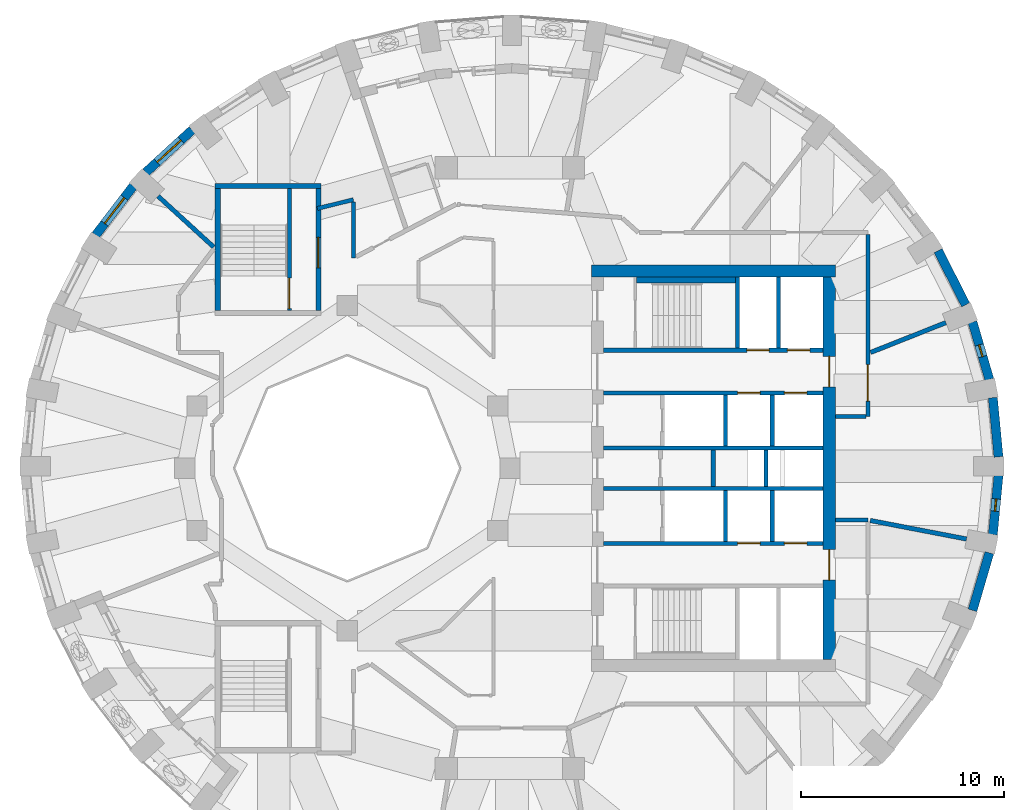
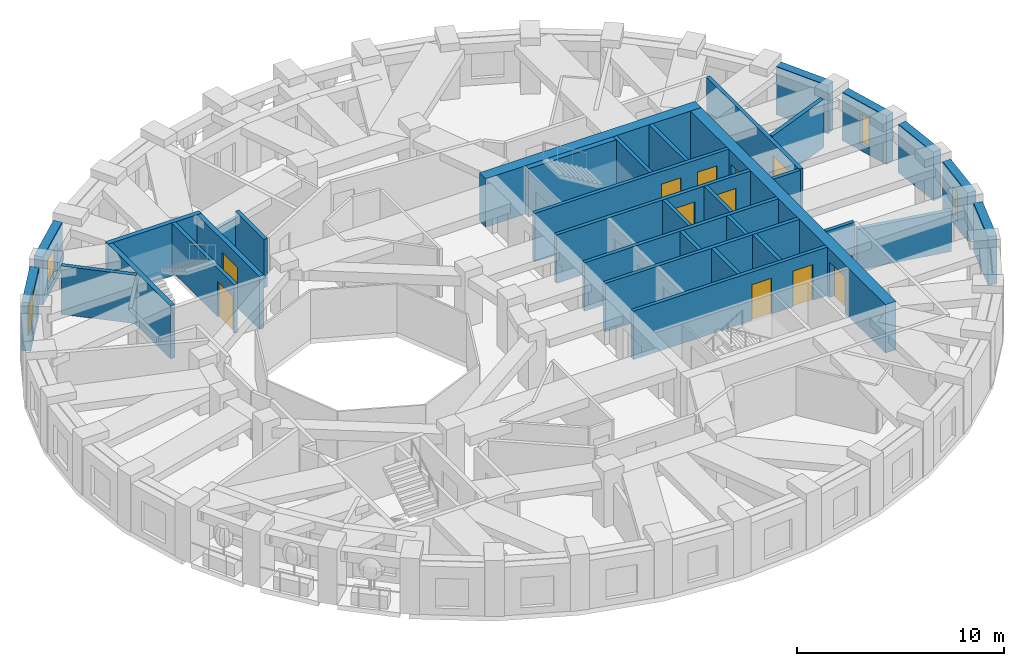
# One storey, part 6 of 11: 35 walls, 11 doors, 4 windows, 15 openings.
"""IFC4 building model written with IfcOpenShell, lengths in metres."""

from ifc_helpers import new_model, si_unit, direction, frame, frame_2d, origin, place, context, subcontext, project, spatial, rectangle, extrude, material, layer, layer_set, type_object, element, fill, save


model = new_model("IFC4")

# Units and contexts
model_context = context("Model", 3, precision=1e-05, world=origin(), true_north=direction((0.0, 1.0)))
body_context = subcontext(model_context, "Body", "Model", "MODEL_VIEW")
ifc_project = project(units=[si_unit("LENGTHUNIT", "METRE"), si_unit("AREAUNIT", "SQUARE_METRE"), si_unit("VOLUMEUNIT", "CUBIC_METRE"), si_unit("PLANEANGLEUNIT", "RADIAN"), si_unit("MASSUNIT", "GRAM", prefix="KILO")], contexts=[model_context])

# Site, building, storey
site_placement = place(None, origin())
site = spatial("IfcSite", under=ifc_project, at=site_placement, CompositionType="ELEMENT")
building_placement = place(site_placement, origin())
building = spatial("IfcBuilding", under=site, at=building_placement, Name="Taillehof Tower", CompositionType="ELEMENT")
storey_placement = place(building_placement, frame((0.0, 0.0, 181.39990234375)))
storey = spatial("IfcBuildingStorey", under=building, at=storey_placement, Name="L51", CompositionType="ELEMENT", Elevation=181.39990234375)

# Wall
ifc_material_1 = material(Name="Brick masonry", Category="masonry")
ifc_layer_1 = layer(ifc_material_1, 0.449951171875)
ifc_layer_set_1 = layer_set([ifc_layer_1], Name="Brick infill wall 450")
wall_type_1 = type_object("IfcWallType", Name="Brick infill wall 450", PredefinedType="SOLIDWALL", material=ifc_layer_set_1)
wall_1_placement = place(storey_placement, frame((24.030517578125, 0.55517578125, 0.0), z_axis=(0.0, 0.0, 1.0), x_axis=(-0.095265737322, 0.995451876935, 0.0)))
element("IfcWall", 1, at=wall_1_placement, inside=storey, type_object=wall_type_1, Name="Brick wall L51 bay 1", PredefinedType="SOLIDWALL", context=body_context, shape_type="SweptSolid", body=[
    extrude(rectangle(XDim=2.9267578125, YDim=0.449951171875, at=frame_2d((1.46337890625, 0.0))), origin(), (0.0, 0.0, 1.0), 2.85009765625),
])

# Wall, opening, window
wall_2_placement = place(storey_placement, frame((23.579833984375, 4.3623046875, 0.0), z_axis=(0.0, 0.0, 1.0), x_axis=(-0.281049481624, 0.959693278542, 0.0)))
wall_2 = element("IfcWall", 2, at=wall_2_placement, inside=storey, type_object=wall_type_1, Name="Brick wall L51 bay 2", PredefinedType="SOLIDWALL", context=body_context, shape_type="SweptSolid", body=[
    extrude(rectangle(XDim=2.947509765625, YDim=0.449951171875, at=frame_2d((1.4736328125, 0.0))), origin(), (0.0, 0.0, 1.0), 2.85009765625),
])
opening_1_placement = place(wall_2_placement, frame((1.173583984375, 0.0, 0.39990234375)))
opening_1 = element("IfcOpeningElement", 3, at=opening_1_placement, cuts=wall_2, Name="Opening W6", PredefinedType="OPENING", context=body_context, shape_type="SweptSolid", body=[
    extrude(rectangle(XDim=0.60009765625, YDim=1.75, at=frame_2d((0.300048828125, 0.875))), frame((0.0, 0.23486328125, 0.0), z_axis=(0.0, -1.0, 0.0), x_axis=(1.0, 0.0, 0.0)), (0.0, 0.0, 1.0), 0.469970703125),
])
ifc_material_2 = material(Name="Aluminium window frame with clear double glazing", Category="aluminium")
window_type_1 = type_object("IfcWindowType", Name="Slot window 600x1750", PartitioningType="SINGLE_PANEL", PredefinedType="WINDOW", material=ifc_material_2)
window_1_placement = place(opening_1_placement, origin())
window_1 = element("IfcWindow", 4, at=window_1_placement, inside=storey, type_object=window_type_1, Name="W6", OverallHeight=1.75, OverallWidth=0.60009765625, PartitioningType="SINGLE_PANEL", PredefinedType="WINDOW", context=body_context, shape_type="SweptSolid", body=[
    extrude(rectangle(XDim=0.60009765625, YDim=1.75, at=frame_2d((0.300048828125, 0.875))), frame((0.0, 0.034912109375, 0.0), z_axis=(0.0, -1.0, 0.0), x_axis=(1.0, 0.0, 0.0)), (0.0, 0.0, 1.0), 0.06005859375),
])
fill(opening_1, window_1)

# Wall
wall_3_placement = place(storey_placement, frame((22.415283203125, 8.036865234375, 0.0), z_axis=(0.0, 0.0, 1.0), x_axis=(-0.454133999889, 0.890933392653, 0.0)))
element("IfcWall", 5, at=wall_3_placement, inside=storey, type_object=wall_type_1, Name="Brick wall L51 bay 3", PredefinedType="SOLIDWALL", context=body_context, shape_type="SweptSolid", body=[
    extrude(rectangle(XDim=2.98583984375, YDim=0.449951171875, at=frame_2d((1.492919921875, 0.0))), origin(), (0.0, 0.0, 1.0), 2.85009765625),
])

# Wall, opening, window
wall_4_placement = place(storey_placement, frame((-15.630126953125, 16.638671875, 0.0), z_axis=(0.0, 0.0, 1.0), x_axis=(-0.737808755941, -0.675009807082, 0.0)))
wall_4 = element("IfcWall", 6, at=wall_4_placement, inside=storey, type_object=wall_type_1, Name="Brick wall L51 bay 14", PredefinedType="SOLIDWALL", context=body_context, shape_type="SweptSolid", body=[
    extrude(rectangle(XDim=3.094482421875, YDim=0.449951171875, at=frame_2d((1.54736328125, 0.0))), origin(), (0.0, 0.0, 1.0), 2.85009765625),
])
opening_2_placement = place(wall_4_placement, frame((0.747314453125, 0.0, 0.39990234375)))
opening_2 = element("IfcOpeningElement", 7, at=opening_2_placement, cuts=wall_4, Name="Opening W3", PredefinedType="OPENING", context=body_context, shape_type="SweptSolid", body=[
    extrude(rectangle(XDim=1.60009765625, YDim=1.75, at=frame_2d((0.800048828125, 0.875))), frame((0.0, 0.23486328125, 0.0), z_axis=(0.0, -1.0, 0.0), x_axis=(1.0, 0.0, 0.0)), (0.0, 0.0, 1.0), 0.469970703125),
])
ifc_material_3 = material(Name="Aluminium window frame with clear double glazing", Category="aluminium")
window_type_2 = type_object("IfcWindowType", Name="Deep-set window 1600x1750", PartitioningType="SINGLE_PANEL", PredefinedType="WINDOW", material=ifc_material_3)
window_2_placement = place(opening_2_placement, origin())
window_2 = element("IfcWindow", 8, at=window_2_placement, inside=storey, type_object=window_type_2, Name="W3", OverallHeight=1.75, OverallWidth=1.60009765625, PartitioningType="SINGLE_PANEL", PredefinedType="WINDOW", context=body_context, shape_type="SweptSolid", body=[
    extrude(rectangle(XDim=1.60009765625, YDim=1.75, at=frame_2d((0.800048828125, 0.875))), frame((0.0, 0.034912109375, 0.0), z_axis=(0.0, -1.0, 0.0), x_axis=(1.0, 0.0, 0.0)), (0.0, 0.0, 1.0), 0.06005859375),
])
fill(opening_2, window_2)

wall_5_placement = place(storey_placement, frame((-18.528076171875, 13.878662109375, 0.0), z_axis=(0.0, 0.0, 1.0), x_axis=(-0.607817056371, -0.794077090706, 0.0)))
wall_5 = element("IfcWall", 9, at=wall_5_placement, inside=storey, type_object=wall_type_1, Name="Brick wall L51 bay 15", PredefinedType="SOLIDWALL", context=body_context, shape_type="SweptSolid", body=[
    extrude(rectangle(XDim=3.037109375, YDim=0.449951171875, at=frame_2d((1.5185546875, 0.0))), origin(), (0.0, 0.0, 1.0), 2.85009765625),
])
opening_3_placement = place(wall_5_placement, frame((0.718505859375, 0.0, 0.39990234375)))
opening_3 = element("IfcOpeningElement", 10, at=opening_3_placement, cuts=wall_5, Name="Opening W3", PredefinedType="OPENING", context=body_context, shape_type="SweptSolid", body=[
    extrude(rectangle(XDim=1.60009765625, YDim=1.75, at=frame_2d((0.800048828125, 0.875))), frame((0.0, 0.23486328125, 0.0), z_axis=(0.0, -1.0, 0.0), x_axis=(1.0, 0.0, 0.0)), (0.0, 0.0, 1.0), 0.469970703125),
])
window_3_placement = place(opening_3_placement, origin())
window_3 = element("IfcWindow", 11, at=window_3_placement, inside=storey, type_object=window_type_2, Name="W3", OverallHeight=1.75, OverallWidth=1.60009765625, PartitioningType="SINGLE_PANEL", PredefinedType="WINDOW", context=body_context, shape_type="SweptSolid", body=[
    extrude(rectangle(XDim=1.60009765625, YDim=1.75, at=frame_2d((0.800048828125, 0.875))), frame((0.0, 0.034912109375, 0.0), z_axis=(0.0, -1.0, 0.0), x_axis=(1.0, 0.0, 0.0)), (0.0, 0.0, 1.0), 0.06005859375),
])
fill(opening_3, window_3)

# Wall
wall_6_placement = place(storey_placement, frame((22.75146484375, -6.990966796875, 0.0), z_axis=(0.0, 0.0, 1.0), x_axis=(0.281049481624, 0.959693278542, 0.0)))
element("IfcWall", 12, at=wall_6_placement, inside=storey, type_object=wall_type_1, Name="Brick wall L51 bay 35", PredefinedType="SOLIDWALL", context=body_context, shape_type="SweptSolid", body=[
    extrude(rectangle(XDim=2.947509765625, YDim=0.449951171875, at=frame_2d((1.4736328125, 0.0))), origin(), (0.0, 0.0, 1.0), 2.85009765625),
])

# Wall, opening, window
wall_7_placement = place(storey_placement, frame((23.751708984375, -3.2685546875, 0.0), z_axis=(0.0, 0.0, 1.0), x_axis=(0.095257827044, 0.995452633924, 0.0)))
wall_7 = element("IfcWall", 13, at=wall_7_placement, inside=storey, type_object=wall_type_1, Name="Brick wall L51 bay 36", PredefinedType="SOLIDWALL", context=body_context, shape_type="SweptSolid", body=[
    extrude(rectangle(XDim=2.927001953125, YDim=0.449951171875, at=frame_2d((1.46337890625, 0.0))), origin(), (0.0, 0.0, 1.0), 2.85009765625),
])
opening_4_placement = place(wall_7_placement, frame((1.163330078125, 0.0, 0.39990234375)))
opening_4 = element("IfcOpeningElement", 14, at=opening_4_placement, cuts=wall_7, Name="Opening W6", PredefinedType="OPENING", context=body_context, shape_type="SweptSolid", body=[
    extrude(rectangle(XDim=0.60009765625, YDim=1.75, at=frame_2d((0.300048828125, 0.875))), frame((0.0, 0.23486328125, 0.0), z_axis=(0.0, -1.0, 0.0), x_axis=(1.0, 0.0, 0.0)), (0.0, 0.0, 1.0), 0.469970703125),
])
window_4_placement = place(opening_4_placement, origin())
window_4 = element("IfcWindow", 15, at=window_4_placement, inside=storey, type_object=window_type_1, Name="W6", OverallHeight=1.75, OverallWidth=0.60009765625, PartitioningType="SINGLE_PANEL", PredefinedType="WINDOW", context=body_context, shape_type="SweptSolid", body=[
    extrude(rectangle(XDim=0.60009765625, YDim=1.75, at=frame_2d((0.300048828125, 0.875))), frame((0.0, 0.034912109375, 0.0), z_axis=(0.0, -1.0, 0.0), x_axis=(1.0, 0.0, 0.0)), (0.0, 0.0, 1.0), 0.06005859375),
])
fill(opening_4, window_4)

# Walls
ifc_material_4 = material(Name="Calcium silicate masonry", Category="masonry")
ifc_layer_2 = layer(ifc_material_4, 0.199951171875)
ifc_layer_set_2 = layer_set([ifc_layer_2], Name="Compartment wall calcium silicate 200")
wall_type_2 = type_object("IfcWallType", Name="Compartment wall calcium silicate 200", PredefinedType="PARTITIONING", material=ifc_layer_set_2)
for number, where, z_axis, x_axis, name in (
    (16, (10.0, -0.89990234375, 0.0), (0.0, 0.0, 1.0), (0.0, 1.0, 0.0), "Compartment wall FW"),
    (17, (12.60009765625, -0.89990234375, 0.0), (0.0, 0.0, 1.0), (0.0, 1.0, 0.0), "Compartment wall FW"),
):
    element("IfcWall", number, at=place(storey_placement, frame(where, z_axis=z_axis, x_axis=x_axis)), inside=storey, type_object=wall_type_2, Name=name, PredefinedType="PARTITIONING", context=body_context, shape_type="SweptSolid", body=[
        extrude(rectangle(XDim=1.7998046875, YDim=0.199951171875, at=frame_2d((0.89990234375, 0.0))), origin(), (0.0, 0.0, 1.0), 2.85009765625),
    ])
ifc_material_5 = material(Name="Gypsum board on steel studs, two layers each side", Category="steel")
ifc_layer_3 = layer(ifc_material_5, 0.199951171875)
ifc_layer_set_3 = layer_set([ifc_layer_3], Name="Compartment wall corridor 200")
wall_type_3 = type_object("IfcWallType", Name="Compartment wall corridor 200", PredefinedType="PARTITIONING", material=ifc_layer_set_3)
wall_8_placement = place(storey_placement, frame((-9.4736328125, 12.77294921875, 0.0), z_axis=(0.0, 0.0, 1.0), x_axis=(0.971086426401, 0.238728197874, 0.0)))
element("IfcWall", 18, at=wall_8_placement, inside=storey, type_object=wall_type_3, Name="Compartment wall", PredefinedType="PARTITIONING", context=body_context, shape_type="SweptSolid", body=[
    extrude(rectangle(XDim=1.826416015625, YDim=0.199951171875, at=frame_2d((0.9130859375, 0.0))), origin(), (0.0, 0.0, 1.0), 2.400146484375),
])
wall_9_placement = place(storey_placement, frame((-7.699951171875, 13.0888671875, 0.0), z_axis=(0.0, 0.0, 1.0), x_axis=(0.0, -1.0, 0.0)))
element("IfcWall", 19, at=wall_9_placement, inside=storey, type_object=wall_type_3, Name="Compartment wall", PredefinedType="PARTITIONING", context=body_context, shape_type="SweptSolid", body=[
    extrude(rectangle(XDim=2.754150390625, YDim=0.199951171875, at=frame_2d((1.376953125, 0.0))), origin(), (0.0, 0.0, 1.0), 2.85009765625),
])

# Wall, opening, door
wall_10_placement = place(storey_placement, frame((17.60009765625, 11.5, 0.0), z_axis=(0.0, 0.0, 1.0), x_axis=(0.0, -1.0, 0.0)))
wall_10 = element("IfcWall", 20, at=wall_10_placement, inside=storey, type_object=wall_type_3, Name="Compartment wall", PredefinedType="PARTITIONING", context=body_context, shape_type="SweptSolid", body=[
    extrude(rectangle(XDim=8.962158203125, YDim=0.199951171875, at=frame_2d((4.48095703125, 0.0))), origin(), (0.0, 0.0, 1.0), 2.85009765625),
])
opening_5_placement = place(wall_10_placement, frame((6.404296875, 0.0, 0.0)))
opening_5 = element("IfcOpeningElement", 21, at=opening_5_placement, cuts=wall_10, Name="Opening D5153", PredefinedType="OPENING", context=body_context, shape_type="SweptSolid", body=[
    extrude(rectangle(XDim=1.800048828125, YDim=2.10009765625, at=frame_2d((0.89990234375, 1.050048828125))), frame((0.0, 0.10986328125, 0.0), z_axis=(0.0, -1.0, 0.0), x_axis=(1.0, 0.0, 0.0)), (0.0, 0.0, 1.0), 0.219970703125),
])
ifc_material_6 = material(Name="Timber door leaf in steel frame", Category="steel")
door_type_1 = type_object("IfcDoorType", Name="Lounge and meeting room double door EI 30 1800 x 2100", OperationType="SINGLE_SWING_LEFT", PredefinedType="DOOR", material=ifc_material_6)
door_1_placement = place(opening_5_placement, origin())
door_1 = element("IfcDoor", 22, at=door_1_placement, inside=storey, type_object=door_type_1, Name="D5153", OperationType="DOUBLE_DOOR_SINGLE_SWING", OverallHeight=2.10009765625, OverallWidth=1.800048828125, PredefinedType="DOOR", context=body_context, shape_type="SweptSolid", body=[
    extrude(rectangle(XDim=1.800048828125, YDim=2.10009765625, at=frame_2d((0.89990234375, 1.050048828125))), frame((0.0, 0.02490234375, 0.0), z_axis=(0.0, -1.0, 0.0), x_axis=(1.0, 0.0, 0.0)), (0.0, 0.0, 1.0), 0.050048828125),
])
fill(opening_5, door_1)

# Walls
wall_11_placement = place(storey_placement, frame((17.5, 2.537841796875, 0.0), z_axis=(0.0, 0.0, 1.0), x_axis=(-1.0, 0.0, 0.0)))
element("IfcWall", 23, at=wall_11_placement, inside=storey, type_object=wall_type_3, Name="Compartment wall", PredefinedType="PARTITIONING", context=body_context, shape_type="SweptSolid", body=[
    extrude(rectangle(XDim=1.49609375, YDim=0.199951171875, at=frame_2d((0.748046875, 0.0))), origin(), (0.0, 0.0, 1.0), 2.85009765625),
])
wall_12_placement = place(storey_placement, frame((16.00390625, -2.537841796875, 0.0), z_axis=(0.0, 0.0, 1.0), x_axis=(1.0, 0.0, 0.0)))
element("IfcWall", 24, at=wall_12_placement, inside=storey, type_object=wall_type_3, Name="Compartment wall", PredefinedType="PARTITIONING", context=body_context, shape_type="SweptSolid", body=[
    extrude(rectangle(XDim=1.59619140625, YDim=0.199951171875, at=frame_2d((0.798095703125, 0.0))), origin(), (0.0, 0.0, 1.0), 2.85009765625),
])
ifc_material_7 = material(Name="Gypsum board on double steel studs with mineral wool", Category="steel")
ifc_layer_4 = layer(ifc_material_7, 0.219970703125)
ifc_layer_set_4 = layer_set([ifc_layer_4], Name="Compartment wall guest room 220")
wall_type_4 = type_object("IfcWallType", Name="Compartment wall guest room 220", PredefinedType="PARTITIONING", material=ifc_layer_set_4)
wall_13_placement = place(storey_placement, frame((21.438720703125, 7.15966796875, 0.0), z_axis=(0.0, 0.0, 1.0), x_axis=(-0.929517399972, -0.368778257426, 0.0)))
element("IfcWall", 25, at=wall_13_placement, inside=storey, type_object=wall_type_4, Name="Compartment wall", PredefinedType="PARTITIONING", context=body_context, shape_type="SweptSolid", body=[
    extrude(rectangle(XDim=3.982177734375, YDim=0.219970703125, at=frame_2d((1.9912109375, 0.0))), origin(), (0.0, 0.0, 1.0), 2.85009765625),
])
wall_14_placement = place(storey_placement, frame((-17.310302734375, 13.381591796875, 0.0), z_axis=(0.0, 0.0, 1.0), x_axis=(0.737827699829, -0.674989100182, 0.0)))
element("IfcWall", 26, at=wall_14_placement, inside=storey, type_object=wall_type_4, Name="Compartment wall", PredefinedType="PARTITIONING", context=body_context, shape_type="SweptSolid", body=[
    extrude(rectangle(XDim=3.71435546875, YDim=0.219970703125, at=frame_2d((1.857177734375, 0.0))), origin(), (0.0, 0.0, 1.0), 2.85009765625),
])
wall_15_placement = place(storey_placement, frame((22.457275390625, -3.483154296875, 0.0), z_axis=(0.0, 0.0, 1.0), x_axis=(-0.982022686577, 0.188762928159, 0.0)))
element("IfcWall", 27, at=wall_15_placement, inside=storey, type_object=wall_type_4, Name="Compartment wall", PredefinedType="PARTITIONING", context=body_context, shape_type="SweptSolid", body=[
    extrude(rectangle(XDim=4.82421875, YDim=0.219970703125, at=frame_2d((2.412109375, 0.0))), origin(), (0.0, 0.0, 1.0), 2.400146484375),
])
ifc_material_8 = material(Name="Calcium silicate masonry", Category="masonry")
ifc_layer_5 = layer(ifc_material_8, 0.300048828125)
ifc_layer_set_5 = layer_set([ifc_layer_5], Name="Compartment wall lining calcium silicate 300")
wall_type_5 = type_object("IfcWallType", Name="Compartment wall lining calcium silicate 300", PredefinedType="PARTITIONING", material=ifc_layer_set_5)
wall_16_placement = place(storey_placement, frame((6.219970703125, 9.25, 0.0), z_axis=(0.0, 0.0, 1.0), x_axis=(1.0, 0.0, 0.0)))
element("IfcWall", 28, at=wall_16_placement, inside=storey, type_object=wall_type_5, Name="Compartment wall FW", PredefinedType="PARTITIONING", context=body_context, shape_type="SweptSolid", body=[
    extrude(rectangle(XDim=4.880126953125, YDim=0.300048828125, at=frame_2d((2.43994140625, 0.0))), origin(), (0.0, 0.0, 1.0), 2.85009765625),
])

# Wall, openings, doors
ifc_material_9 = material(Name="Concrete C80/95", Category="concrete")
ifc_layer_6 = layer(ifc_material_9, 0.60009765625)
ifc_layer_set_6 = layer_set([ifc_layer_6], Name="Core wall C80/95 600")
wall_type_6 = type_object("IfcWallType", Name="Core wall C80/95 600", PredefinedType="SHEAR", material=ifc_layer_set_6)
wall_17_placement = place(storey_placement, frame((15.699951171875, -9.39990234375, 0.0), z_axis=(0.0, 0.0, 1.0), x_axis=(0.0, 1.0, 0.0)))
wall_17 = element("IfcWall", 29, at=wall_17_placement, inside=storey, type_object=wall_type_6, Name="Core wall CW05", PredefinedType="SHEAR", context=body_context, shape_type="SweptSolid", body=[
    extrude(rectangle(XDim=18.7998046875, YDim=0.60009765625, at=frame_2d((9.39990234375, 0.0))), origin(), (0.0, 0.0, 1.0), 2.85009765625),
])
opening_6_placement = place(wall_17_placement, frame((13.39990234375, 0.0, 0.0)))
opening_6 = element("IfcOpeningElement", 30, at=opening_6_placement, cuts=wall_17, Name="Opening D5108", PredefinedType="OPENING", context=body_context, shape_type="SweptSolid", body=[
    extrude(rectangle(XDim=1.5, YDim=2.10009765625, at=frame_2d((0.75, 1.050048828125))), frame((0.0, 0.31005859375, 0.0), z_axis=(0.0, -1.0, 0.0), x_axis=(1.0, 0.0, 0.0)), (0.0, 0.0, 1.0), 0.6201171875),
])
opening_7_placement = place(wall_17_placement, frame((3.89990234375, 0.0, 0.0)))
opening_7 = element("IfcOpeningElement", 31, at=opening_7_placement, cuts=wall_17, Name="Opening D5109", PredefinedType="OPENING", context=body_context, shape_type="SweptSolid", body=[
    extrude(rectangle(XDim=1.5, YDim=2.10009765625, at=frame_2d((0.75, 1.050048828125))), frame((0.0, 0.31005859375, 0.0), z_axis=(0.0, -1.0, 0.0), x_axis=(1.0, 0.0, 0.0)), (0.0, 0.0, 1.0), 0.6201171875),
])
ifc_material_10 = material(Name="Steel-faced fire door", Category="steel")
door_type_2 = type_object("IfcDoorType", Name="Lift lobby east door 1500x2100", OperationType="DOUBLE_DOOR_SINGLE_SWING", PredefinedType="DOOR", material=ifc_material_10)
door_2_placement = place(opening_6_placement, origin())
door_2 = element("IfcDoor", 32, at=door_2_placement, inside=storey, type_object=door_type_2, Name="Lift lobby east door north", OperationType="DOUBLE_DOOR_SINGLE_SWING", OverallHeight=2.10009765625, OverallWidth=1.5, PredefinedType="DOOR", context=body_context, shape_type="SweptSolid", body=[
    extrude(rectangle(XDim=1.5, YDim=2.10009765625, at=frame_2d((0.75, 1.050048828125))), frame((0.0, 0.02490234375, 0.0), z_axis=(0.0, -1.0, 0.0), x_axis=(1.0, 0.0, 0.0)), (0.0, 0.0, 1.0), 0.050048828125),
])
fill(opening_6, door_2)
door_3_placement = place(opening_7_placement, origin())
door_3 = element("IfcDoor", 33, at=door_3_placement, inside=storey, type_object=door_type_2, Name="Lift lobby east door south", OperationType="DOUBLE_DOOR_SINGLE_SWING", OverallHeight=2.10009765625, OverallWidth=1.5, PredefinedType="DOOR", context=body_context, shape_type="SweptSolid", body=[
    extrude(rectangle(XDim=1.5, YDim=2.10009765625, at=frame_2d((0.75, 1.050048828125))), frame((0.0, 0.02490234375, 0.0), z_axis=(0.0, -1.0, 0.0), x_axis=(1.0, 0.0, 0.0)), (0.0, 0.0, 1.0), 0.050048828125),
])
fill(opening_7, door_3)

# Wall
wall_18_placement = place(storey_placement, frame((4.0, 9.699951171875, 0.0), z_axis=(0.0, 0.0, 1.0), x_axis=(1.0, 0.0, 0.0)))
element("IfcWall", 34, at=wall_18_placement, inside=storey, type_object=wall_type_6, Name="Core wall CW06", PredefinedType="SHEAR", context=body_context, shape_type="SweptSolid", body=[
    extrude(rectangle(XDim=12.0, YDim=0.60009765625, at=frame_2d((6.0, 0.0))), origin(), (0.0, 0.0, 1.0), 2.85009765625),
])

# Wall, openings, doors
ifc_material_11 = material(Name="Concrete C50/60", Category="concrete")
ifc_layer_7 = layer(ifc_material_11, 0.199951171875)
ifc_layer_set_7 = layer_set([ifc_layer_7], Name="Shaft wall C50/60 200")
wall_type_7 = type_object("IfcWallType", Name="Shaft wall C50/60 200", PredefinedType="SHEAR", material=ifc_layer_set_7)
wall_19_placement = place(storey_placement, frame((4.60009765625, 5.800048828125, 0.0), z_axis=(0.0, 0.0, 1.0), x_axis=(1.0, 0.0, 0.0)))
wall_19 = element("IfcWall", 35, at=wall_19_placement, inside=storey, type_object=wall_type_7, Name="Shaft wall SW", PredefinedType="SHEAR", context=body_context, shape_type="SweptSolid", body=[
    extrude(rectangle(XDim=10.7998046875, YDim=0.199951171875, at=frame_2d((5.39990234375, 0.0))), origin(), (0.0, 0.0, 1.0), 2.85009765625),
])
opening_8_placement = place(wall_19_placement, frame((7.050048828125, 0.0, 0.0)))
opening_8 = element("IfcOpeningElement", 36, at=opening_8_placement, cuts=wall_19, Name="Opening LD1", PredefinedType="OPENING", context=body_context, shape_type="SweptSolid", body=[
    extrude(rectangle(XDim=1.10009765625, YDim=2.10009765625, at=frame_2d((0.550048828125, 1.050048828125))), frame((0.0, 0.10986328125, 0.0), z_axis=(0.0, -1.0, 0.0), x_axis=(1.0, 0.0, 0.0)), (0.0, 0.0, 1.0), 0.219970703125),
])
opening_9_placement = place(wall_19_placement, frame((9.050048828125, 0.0, 0.0)))
opening_9 = element("IfcOpeningElement", 37, at=opening_9_placement, cuts=wall_19, Name="Opening LD1", PredefinedType="OPENING", context=body_context, shape_type="SweptSolid", body=[
    extrude(rectangle(XDim=1.10009765625, YDim=2.10009765625, at=frame_2d((0.550048828125, 1.050048828125))), frame((0.0, 0.10986328125, 0.0), z_axis=(0.0, -1.0, 0.0), x_axis=(1.0, 0.0, 0.0)), (0.0, 0.0, 1.0), 0.219970703125),
])
ifc_material_12 = material(Name="Stainless steel", Category="steel")
door_type_3 = type_object("IfcDoorType", Name="Lift landing door LD1 1100x2100", OperationType="DOUBLE_DOOR_SLIDING", PredefinedType="DOOR", material=ifc_material_12)
door_4_placement = place(opening_8_placement, origin())
door_4 = element("IfcDoor", 38, at=door_4_placement, inside=storey, type_object=door_type_3, Name="Landing door HR1", OperationType="DOUBLE_DOOR_SLIDING", OverallHeight=2.10009765625, OverallWidth=1.10009765625, PredefinedType="DOOR", context=body_context, shape_type="SweptSolid", body=[
    extrude(rectangle(XDim=1.10009765625, YDim=2.10009765625, at=frame_2d((0.550048828125, 1.050048828125))), frame((0.0, 0.02490234375, 0.0), z_axis=(0.0, -1.0, 0.0), x_axis=(1.0, 0.0, 0.0)), (0.0, 0.0, 1.0), 0.050048828125),
])
fill(opening_8, door_4)
door_5_placement = place(opening_9_placement, origin())
door_5 = element("IfcDoor", 39, at=door_5_placement, inside=storey, type_object=door_type_3, Name="Landing door HR2", OperationType="DOUBLE_DOOR_SLIDING", OverallHeight=2.10009765625, OverallWidth=1.10009765625, PredefinedType="DOOR", context=body_context, shape_type="SweptSolid", body=[
    extrude(rectangle(XDim=1.10009765625, YDim=2.10009765625, at=frame_2d((0.550048828125, 1.050048828125))), frame((0.0, 0.02490234375, 0.0), z_axis=(0.0, -1.0, 0.0), x_axis=(1.0, 0.0, 0.0)), (0.0, 0.0, 1.0), 0.050048828125),
])
fill(opening_9, door_5)

wall_20_placement = place(storey_placement, frame((4.60009765625, 3.699951171875, 0.0), z_axis=(0.0, 0.0, 1.0), x_axis=(1.0, 0.0, 0.0)))
wall_20 = element("IfcWall", 40, at=wall_20_placement, inside=storey, type_object=wall_type_7, Name="Shaft wall SW", PredefinedType="SHEAR", context=body_context, shape_type="SweptSolid", body=[
    extrude(rectangle(XDim=10.7998046875, YDim=0.199951171875, at=frame_2d((5.39990234375, 0.0))), origin(), (0.0, 0.0, 1.0), 2.85009765625),
])
opening_10_placement = place(wall_20_placement, frame((6.60009765625, 0.0, 0.0)))
opening_10 = element("IfcOpeningElement", 41, at=opening_10_placement, cuts=wall_20, Name="Opening LD1", PredefinedType="OPENING", context=body_context, shape_type="SweptSolid", body=[
    extrude(rectangle(XDim=1.10009765625, YDim=2.10009765625, at=frame_2d((0.550048828125, 1.050048828125))), frame((0.0, 0.10986328125, 0.0), z_axis=(0.0, -1.0, 0.0), x_axis=(1.0, 0.0, 0.0)), (0.0, 0.0, 1.0), 0.219970703125),
])
opening_11_placement = place(wall_20_placement, frame((8.89990234375, 0.0, 0.0)))
opening_11 = element("IfcOpeningElement", 42, at=opening_11_placement, cuts=wall_20, Name="Opening LD1", PredefinedType="OPENING", context=body_context, shape_type="SweptSolid", body=[
    extrude(rectangle(XDim=1.10009765625, YDim=2.10009765625, at=frame_2d((0.550048828125, 1.050048828125))), frame((0.0, 0.10986328125, 0.0), z_axis=(0.0, -1.0, 0.0), x_axis=(1.0, 0.0, 0.0)), (0.0, 0.0, 1.0), 0.219970703125),
])
door_6_placement = place(opening_10_placement, origin())
door_6 = element("IfcDoor", 43, at=door_6_placement, inside=storey, type_object=door_type_3, Name="Landing door HR3", OperationType="DOUBLE_DOOR_SLIDING", OverallHeight=2.10009765625, OverallWidth=1.10009765625, PredefinedType="DOOR", context=body_context, shape_type="SweptSolid", body=[
    extrude(rectangle(XDim=1.10009765625, YDim=2.10009765625, at=frame_2d((0.550048828125, 1.050048828125))), frame((0.0, 0.02490234375, 0.0), z_axis=(0.0, -1.0, 0.0), x_axis=(1.0, 0.0, 0.0)), (0.0, 0.0, 1.0), 0.050048828125),
])
fill(opening_10, door_6)
door_7_placement = place(opening_11_placement, origin())
door_7 = element("IfcDoor", 44, at=door_7_placement, inside=storey, type_object=door_type_3, Name="Landing door HR4", OperationType="DOUBLE_DOOR_SLIDING", OverallHeight=2.10009765625, OverallWidth=1.10009765625, PredefinedType="DOOR", context=body_context, shape_type="SweptSolid", body=[
    extrude(rectangle(XDim=1.10009765625, YDim=2.10009765625, at=frame_2d((0.550048828125, 1.050048828125))), frame((0.0, 0.02490234375, 0.0), z_axis=(0.0, -1.0, 0.0), x_axis=(1.0, 0.0, 0.0)), (0.0, 0.0, 1.0), 0.050048828125),
])
fill(opening_11, door_7)

# Walls
for number, where, z_axis, x_axis, name in (
    (45, (4.60009765625, 1.0, 0.0), (0.0, 0.0, 1.0), (1.0, 0.0, 0.0), "Shaft wall SW"),
    (46, (4.60009765625, -1.0, 0.0), (0.0, 0.0, 1.0), (1.0, 0.0, 0.0), "Shaft wall SW"),
):
    element("IfcWall", number, at=place(storey_placement, frame(where, z_axis=z_axis, x_axis=x_axis)), inside=storey, type_object=wall_type_7, Name=name, PredefinedType="SHEAR", context=body_context, shape_type="SweptSolid", body=[
        extrude(rectangle(XDim=10.7998046875, YDim=0.199951171875, at=frame_2d((5.39990234375, 0.0))), origin(), (0.0, 0.0, 1.0), 2.85009765625),
    ])

# Wall, openings, doors
wall_21_placement = place(storey_placement, frame((4.60009765625, -3.699951171875, 0.0), z_axis=(0.0, 0.0, 1.0), x_axis=(1.0, 0.0, 0.0)))
wall_21 = element("IfcWall", 47, at=wall_21_placement, inside=storey, type_object=wall_type_7, Name="Shaft wall SW", PredefinedType="SHEAR", context=body_context, shape_type="SweptSolid", body=[
    extrude(rectangle(XDim=10.7998046875, YDim=0.199951171875, at=frame_2d((5.39990234375, 0.0))), origin(), (0.0, 0.0, 1.0), 2.85009765625),
])
opening_12_placement = place(wall_21_placement, frame((6.60009765625, 0.0, 0.0)))
opening_12 = element("IfcOpeningElement", 48, at=opening_12_placement, cuts=wall_21, Name="Opening LD1", PredefinedType="OPENING", context=body_context, shape_type="SweptSolid", body=[
    extrude(rectangle(XDim=1.10009765625, YDim=2.10009765625, at=frame_2d((0.550048828125, 1.050048828125))), frame((0.0, 0.10986328125, 0.0), z_axis=(0.0, -1.0, 0.0), x_axis=(1.0, 0.0, 0.0)), (0.0, 0.0, 1.0), 0.219970703125),
])
opening_13_placement = place(wall_21_placement, frame((8.89990234375, 0.0, 0.0)))
opening_13 = element("IfcOpeningElement", 49, at=opening_13_placement, cuts=wall_21, Name="Opening LD1", PredefinedType="OPENING", context=body_context, shape_type="SweptSolid", body=[
    extrude(rectangle(XDim=1.10009765625, YDim=2.10009765625, at=frame_2d((0.550048828125, 1.050048828125))), frame((0.0, 0.10986328125, 0.0), z_axis=(0.0, -1.0, 0.0), x_axis=(1.0, 0.0, 0.0)), (0.0, 0.0, 1.0), 0.219970703125),
])
door_8_placement = place(opening_12_placement, origin())
door_8 = element("IfcDoor", 50, at=door_8_placement, inside=storey, type_object=door_type_3, Name="Landing door HR5", OperationType="DOUBLE_DOOR_SLIDING", OverallHeight=2.10009765625, OverallWidth=1.10009765625, PredefinedType="DOOR", context=body_context, shape_type="SweptSolid", body=[
    extrude(rectangle(XDim=1.10009765625, YDim=2.10009765625, at=frame_2d((0.550048828125, 1.050048828125))), frame((0.0, 0.02490234375, 0.0), z_axis=(0.0, -1.0, 0.0), x_axis=(1.0, 0.0, 0.0)), (0.0, 0.0, 1.0), 0.050048828125),
])
fill(opening_12, door_8)
door_9_placement = place(opening_13_placement, origin())
door_9 = element("IfcDoor", 51, at=door_9_placement, inside=storey, type_object=door_type_3, Name="Landing door HR6", OperationType="DOUBLE_DOOR_SLIDING", OverallHeight=2.10009765625, OverallWidth=1.10009765625, PredefinedType="DOOR", context=body_context, shape_type="SweptSolid", body=[
    extrude(rectangle(XDim=1.10009765625, YDim=2.10009765625, at=frame_2d((0.550048828125, 1.050048828125))), frame((0.0, 0.02490234375, 0.0), z_axis=(0.0, -1.0, 0.0), x_axis=(1.0, 0.0, 0.0)), (0.0, 0.0, 1.0), 0.050048828125),
])
fill(opening_13, door_9)

# Walls
for number, where, z_axis, x_axis, name in (
    (52, (11.199951171875, 5.89990234375, 0.0), (0.0, 0.0, 1.0), (0.0, 1.0, 0.0), "Shaft wall SW"),
    (53, (13.199951171875, 5.89990234375, 0.0), (0.0, 0.0, 1.0), (0.0, 1.0, 0.0), "Shaft wall SW"),
):
    element("IfcWall", number, at=place(storey_placement, frame(where, z_axis=z_axis, x_axis=x_axis)), inside=storey, type_object=wall_type_7, Name=name, PredefinedType="SHEAR", context=body_context, shape_type="SweptSolid", body=[
        extrude(rectangle(XDim=3.5, YDim=0.199951171875, at=frame_2d((1.75, 0.0))), origin(), (0.0, 0.0, 1.0), 2.85009765625),
    ])
for number, where, z_axis, x_axis, name in (
    (54, (10.60009765625, 1.10009765625, 0.0), (0.0, 0.0, 1.0), (0.0, 1.0, 0.0), "Shaft wall SW"),
    (55, (10.60009765625, -3.60009765625, 0.0), (0.0, 0.0, 1.0), (0.0, 1.0, 0.0), "Shaft wall SW"),
    (56, (12.89990234375, 1.10009765625, 0.0), (0.0, 0.0, 1.0), (0.0, 1.0, 0.0), "Shaft wall SW"),
    (57, (12.89990234375, -3.60009765625, 0.0), (0.0, 0.0, 1.0), (0.0, 1.0, 0.0), "Shaft wall SW"),
):
    element("IfcWall", number, at=place(storey_placement, frame(where, z_axis=z_axis, x_axis=x_axis)), inside=storey, type_object=wall_type_7, Name=name, PredefinedType="SHEAR", context=body_context, shape_type="SweptSolid", body=[
        extrude(rectangle(XDim=2.5, YDim=0.199951171875, at=frame_2d((1.25, 0.0))), origin(), (0.0, 0.0, 1.0), 2.85009765625),
    ])

# Wall, opening, door
wall_22_placement = place(storey_placement, frame((-10.85009765625, 7.75, 0.0), z_axis=(0.0, 0.0, 1.0), x_axis=(0.0, 1.0, 0.0)))
wall_22 = element("IfcWall", 58, at=wall_22_placement, inside=storey, type_object=wall_type_7, Name="Shaft wall SW", PredefinedType="SHEAR", context=body_context, shape_type="SweptSolid", body=[
    extrude(rectangle(XDim=6.0, YDim=0.199951171875, at=frame_2d((3.0, 0.0))), origin(), (0.0, 0.0, 1.0), 2.85009765625),
])
opening_14_placement = place(wall_22_placement, frame((0.10009765625, 0.0, 0.0)))
opening_14 = element("IfcOpeningElement", 59, at=opening_14_placement, cuts=wall_22, Name="Opening D5112", PredefinedType="OPENING", context=body_context, shape_type="SweptSolid", body=[
    extrude(rectangle(XDim=1.5, YDim=2.10009765625, at=frame_2d((0.75, 1.050048828125))), frame((0.0, 0.10986328125, 0.0), z_axis=(0.0, -1.0, 0.0), x_axis=(1.0, 0.0, 0.0)), (0.0, 0.0, 1.0), 0.219970703125),
])
ifc_material_13 = material(Name="Steel-faced fire door", Category="steel")
door_type_4 = type_object("IfcDoorType", Name="Stair door 1500x2100", OperationType="DOUBLE_DOOR_SINGLE_SWING", PredefinedType="DOOR", material=ifc_material_13)
door_10_placement = place(opening_14_placement, origin())
door_10 = element("IfcDoor", 60, at=door_10_placement, inside=storey, type_object=door_type_4, Name="Stair lobby door S3", OperationType="DOUBLE_DOOR_SINGLE_SWING", OverallHeight=2.10009765625, OverallWidth=1.5, PredefinedType="DOOR", context=body_context, shape_type="SweptSolid", body=[
    extrude(rectangle(XDim=1.5, YDim=2.10009765625, at=frame_2d((0.75, 1.050048828125))), frame((0.0, 0.02490234375, 0.0), z_axis=(0.0, -1.0, 0.0), x_axis=(1.0, 0.0, 0.0)), (0.0, 0.0, 1.0), 0.050048828125),
])
fill(opening_14, door_10)

# Wall
ifc_material_14 = material(Name="Concrete C50/60", Category="concrete")
ifc_layer_8 = layer(ifc_material_14, 0.25)
ifc_layer_set_8 = layer_set([ifc_layer_8], Name="Stair wall C50/60 250")
wall_type_8 = type_object("IfcWallType", Name="Stair wall C50/60 250", PredefinedType="SHEAR", material=ifc_layer_set_8)
wall_23_placement = place(storey_placement, frame((-14.375, 7.75, -0.27978515625), z_axis=(0.0, 0.0, 1.0), x_axis=(0.0, 1.0, 0.0)))
element("IfcWall", 61, at=wall_23_placement, inside=storey, type_object=wall_type_8, Name="Stair wall SC", PredefinedType="SHEAR", context=body_context, shape_type="SweptSolid", body=[
    extrude(rectangle(XDim=6.0, YDim=0.25, at=frame_2d((3.0, 0.0))), origin(), (0.0, 0.0, 1.0), 3.1298828125),
])

# Wall, opening, door
wall_24_placement = place(storey_placement, frame((-9.425048828125, 7.75, -0.27978515625), z_axis=(0.0, 0.0, 1.0), x_axis=(0.0, 1.0, 0.0)))
wall_24 = element("IfcWall", 62, at=wall_24_placement, inside=storey, type_object=wall_type_8, Name="Stair wall SC", PredefinedType="SHEAR", context=body_context, shape_type="SweptSolid", body=[
    extrude(rectangle(XDim=6.0, YDim=0.25, at=frame_2d((3.0, 0.0))), origin(), (0.0, 0.0, 1.0), 3.1298828125),
])
opening_15_placement = place(wall_24_placement, frame((2.10009765625, 0.0, 0.280029296875)))
opening_15 = element("IfcOpeningElement", 63, at=opening_15_placement, cuts=wall_24, Name="Opening D5115", PredefinedType="OPENING", context=body_context, shape_type="SweptSolid", body=[
    extrude(rectangle(XDim=1.5, YDim=2.10009765625, at=frame_2d((0.75, 1.050048828125))), frame((0.0, 0.135009765625, 0.0), z_axis=(0.0, -1.0, 0.0), x_axis=(1.0, 0.0, 0.0)), (0.0, 0.0, 1.0), 0.27001953125),
])
door_11_placement = place(opening_15_placement, origin())
door_11 = element("IfcDoor", 64, at=door_11_placement, inside=storey, type_object=door_type_4, Name="Stair door S3", OperationType="DOUBLE_DOOR_SINGLE_SWING", OverallHeight=2.10009765625, OverallWidth=1.5, PredefinedType="DOOR", context=body_context, shape_type="SweptSolid", body=[
    extrude(rectangle(XDim=1.5, YDim=2.10009765625, at=frame_2d((0.75, 1.050048828125))), frame((0.0, 0.02490234375, 0.0), z_axis=(0.0, -1.0, 0.0), x_axis=(1.0, 0.0, 0.0)), (0.0, 0.0, 1.0), 0.050048828125),
])
fill(opening_15, door_11)

# Wall
wall_25_placement = place(storey_placement, frame((-14.5, 13.875, -0.27978515625), z_axis=(0.0, 0.0, 1.0), x_axis=(1.0, 0.0, 0.0)))
element("IfcWall", 65, at=wall_25_placement, inside=storey, type_object=wall_type_8, Name="Stair wall SC", PredefinedType="SHEAR", context=body_context, shape_type="SweptSolid", body=[
    extrude(rectangle(XDim=5.199951171875, YDim=0.25, at=frame_2d((2.60009765625, 0.0))), origin(), (0.0, 0.0, 1.0), 3.1298828125),
])

save(model, "model.ifc")
